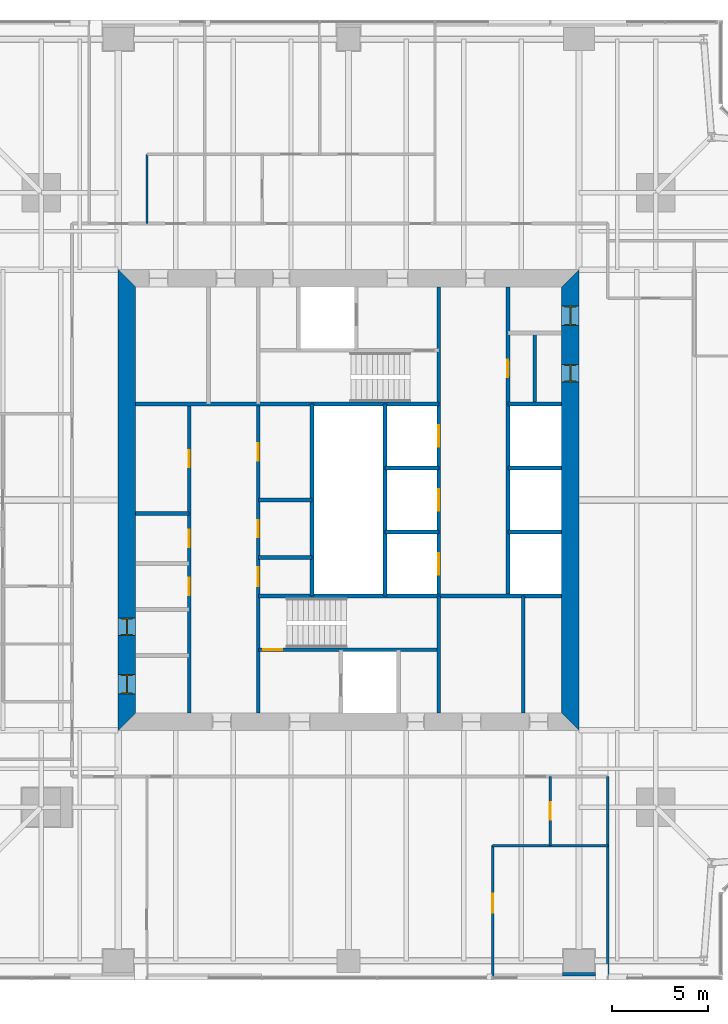
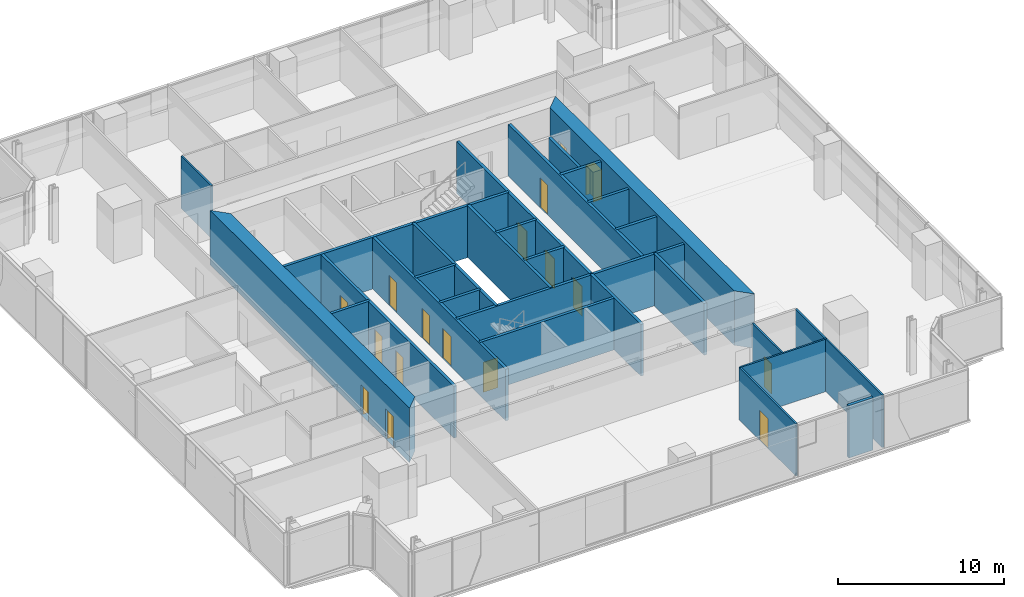
# One storey, part 10 of 14: 28 walls, 17 doors, 17 openings.
"""IFC4 building model written with IfcOpenShell, lengths in metres."""

from ifc_helpers import new_model, si_unit, direction, frame, frame_2d, origin, place, context, subcontext, project, spatial, polyline, rectangle, outline, extrude, material, layer, layer_set, type_object, element, fill, save


model = new_model("IFC4")

# Units and contexts
model_context = context("Model", 3, precision=1e-05, world=origin(), true_north=direction((0.0, 1.0)))
body_context = subcontext(model_context, "Body", "Model", "MODEL_VIEW")
ifc_project = project(units=[si_unit("LENGTHUNIT", "METRE"), si_unit("AREAUNIT", "SQUARE_METRE"), si_unit("VOLUMEUNIT", "CUBIC_METRE"), si_unit("PLANEANGLEUNIT", "RADIAN"), si_unit("MASSUNIT", "GRAM", prefix="KILO")], contexts=[model_context])

# Site, building, storey
site_placement = place(None, origin())
site = spatial("IfcSite", under=ifc_project, at=site_placement, CompositionType="ELEMENT")
building_placement = place(site_placement, origin())
building = spatial("IfcBuilding", under=site, at=building_placement, Name="Fenwick Lantern Interchange", CompositionType="ELEMENT")
storey_placement = place(building_placement, frame((0.0, 0.0, 197.800048828125)))
storey = spatial("IfcBuildingStorey", under=building, at=storey_placement, Name="L46", CompositionType="ELEMENT", Elevation=197.800048828125)

# Wall
ifc_material_1 = material(Name="Fire-rated gypsum board encasement on steel studs, 2 hour", Category="steel")
ifc_layer_1 = layer(ifc_material_1, 1.699951171875)
ifc_layer_set_1 = layer_set([ifc_layer_1], Name="COLUMN PIER 1700")
wall_type_1 = type_object("IfcWallType", Name="COLUMN PIER 1700", PredefinedType="PARTITIONING", material=ifc_layer_set_1)
wall_1_placement = place(storey_placement, frame((37.0, 0.199951171875, 0.0), z_axis=(0.0, 0.0, 1.0), x_axis=(0.0, 1.0, 0.0)))
element("IfcWall", 1, at=wall_1_placement, inside=storey, type_object=wall_type_1, Name="L46/W/PIER/CS4", PredefinedType="PARTITIONING", context=body_context, shape_type="SweptSolid", body=[
    extrude(rectangle(XDim=0.199951171875, YDim=1.699951171875, at=frame_2d((0.10009765625, 0.0))), origin(), (0.0, 0.0, 1.0), 3.849853515625),
])

# Wall, openings, doors
ifc_material_2 = material(Name="Concrete masonry ASTM C90 Grade N", Category="masonry")
ifc_layer_2 = layer(ifc_material_2, 0.199951171875)
ifc_layer_set_2 = layer_set([ifc_layer_2], Name="Concrete masonry ASTM C90 Grade N")
wall_type_2 = type_object("IfcWallType", Name="CORE PARTITION 200", PredefinedType="PARTITIONING", material=ifc_layer_set_2)
wall_2_placement = place(storey_placement, frame((16.699951171875, 13.89990234375, 0.0), z_axis=(0.0, 0.0, 1.0), x_axis=(0.0, 1.0, 0.0)))
wall_2 = element("IfcWall", 2, at=wall_2_placement, inside=storey, type_object=wall_type_2, Name="L46/W/CORES/a", PredefinedType="PARTITIONING", context=body_context, shape_type="SweptSolid", body=[
    extrude(rectangle(XDim=16.10009765625, YDim=0.199951171875, at=frame_2d((8.050048828125, 0.0))), origin(), (0.0, 0.0, 1.0), 3.800048828125),
])
opening_1_placement = place(wall_2_placement, frame((6.14990234375, 0.0, 0.0)))
opening_1 = element("IfcOpeningElement", 3, at=opening_1_placement, cuts=wall_2, Name="Opening L46-D009", PredefinedType="OPENING", context=body_context, shape_type="SweptSolid", body=[
    extrude(rectangle(XDim=0.89990234375, YDim=2.199951171875, at=frame_2d((0.449951171875, 1.10009765625))), frame((0.0, 0.10986328125, 0.0), z_axis=(0.0, -1.0, 0.0), x_axis=(1.0, 0.0, 0.0)), (0.0, 0.0, 1.0), 0.219970703125),
])
opening_2_placement = place(wall_2_placement, frame((8.64990234375, 0.0, 0.0)))
opening_2 = element("IfcOpeningElement", 4, at=opening_2_placement, cuts=wall_2, Name="Opening L46-D010", PredefinedType="OPENING", context=body_context, shape_type="SweptSolid", body=[
    extrude(rectangle(XDim=0.89990234375, YDim=2.199951171875, at=frame_2d((0.449951171875, 1.10009765625))), frame((0.0, 0.10986328125, 0.0), z_axis=(0.0, -1.0, 0.0), x_axis=(1.0, 0.0, 0.0)), (0.0, 0.0, 1.0), 0.219970703125),
])
opening_3_placement = place(wall_2_placement, frame((12.800048828125, 0.0, 0.0)))
opening_3 = element("IfcOpeningElement", 5, at=opening_3_placement, cuts=wall_2, Name="Opening L46-D011", PredefinedType="OPENING", context=body_context, shape_type="SweptSolid", body=[
    extrude(rectangle(XDim=0.89990234375, YDim=2.199951171875, at=frame_2d((0.449951171875, 1.10009765625))), frame((0.0, 0.10986328125, 0.0), z_axis=(0.0, -1.0, 0.0), x_axis=(1.0, 0.0, 0.0)), (0.0, 0.0, 1.0), 0.219970703125),
])
ifc_material_3 = material(Name="Steel door and frame", Category="steel")
door_type_1 = type_object("IfcDoorType", Name="SERVICE DOOR 900 X 2200", OperationType="SINGLE_SWING_LEFT", PredefinedType="DOOR", material=ifc_material_3)
door_1_placement = place(opening_1_placement, origin())
door_1 = element("IfcDoor", 6, at=door_1_placement, inside=storey, type_object=door_type_1, Name="Service door", OperationType="SINGLE_SWING_LEFT", OverallHeight=2.199951171875, OverallWidth=0.89990234375, PredefinedType="DOOR", context=body_context, shape_type="SweptSolid", body=[
    extrude(rectangle(XDim=0.89990234375, YDim=2.199951171875, at=frame_2d((0.449951171875, 1.10009765625))), frame((0.0, 0.02490234375, 0.0), z_axis=(0.0, -1.0, 0.0), x_axis=(1.0, 0.0, 0.0)), (0.0, 0.0, 1.0), 0.050048828125),
])
fill(opening_1, door_1)
door_2_placement = place(opening_2_placement, origin())
door_2 = element("IfcDoor", 7, at=door_2_placement, inside=storey, type_object=door_type_1, Name="Service door", OperationType="SINGLE_SWING_LEFT", OverallHeight=2.199951171875, OverallWidth=0.89990234375, PredefinedType="DOOR", context=body_context, shape_type="SweptSolid", body=[
    extrude(rectangle(XDim=0.89990234375, YDim=2.199951171875, at=frame_2d((0.449951171875, 1.10009765625))), frame((0.0, 0.02490234375, 0.0), z_axis=(0.0, -1.0, 0.0), x_axis=(1.0, 0.0, 0.0)), (0.0, 0.0, 1.0), 0.050048828125),
])
fill(opening_2, door_2)
door_3_placement = place(opening_3_placement, origin())
door_3 = element("IfcDoor", 8, at=door_3_placement, inside=storey, type_object=door_type_1, Name="Service door", OperationType="SINGLE_SWING_LEFT", OverallHeight=2.199951171875, OverallWidth=0.89990234375, PredefinedType="DOOR", context=body_context, shape_type="SweptSolid", body=[
    extrude(rectangle(XDim=0.89990234375, YDim=2.199951171875, at=frame_2d((0.449951171875, 1.10009765625))), frame((0.0, 0.02490234375, 0.0), z_axis=(0.0, -1.0, 0.0), x_axis=(1.0, 0.0, 0.0)), (0.0, 0.0, 1.0), 0.050048828125),
])
fill(opening_3, door_3)

# Walls
wall_3_placement = place(storey_placement, frame((23.10009765625, 20.0, 0.0), z_axis=(0.0, 0.0, 1.0), x_axis=(0.0, 1.0, 0.0)))
element("IfcWall", 9, at=wall_3_placement, inside=storey, type_object=wall_type_2, Name="L46/W/CORES/e3", PredefinedType="PARTITIONING", context=body_context, shape_type="SweptSolid", body=[
    extrude(rectangle(XDim=10.0, YDim=0.199951171875, at=frame_2d((5.0, 0.0))), origin(), (0.0, 0.0, 1.0), 3.800048828125),
])
wall_4_placement = place(storey_placement, frame((34.10009765625, 13.89990234375, 0.0), z_axis=(0.0, 0.0, 1.0), x_axis=(0.0, 1.0, 0.0)))
element("IfcWall", 10, at=wall_4_placement, inside=storey, type_object=wall_type_2, Name="L46/W/CORES/i2", PredefinedType="PARTITIONING", context=body_context, shape_type="SweptSolid", body=[
    extrude(rectangle(XDim=6.10009765625, YDim=0.199951171875, at=frame_2d((3.050048828125, 0.0))), origin(), (0.0, 0.0, 1.0), 3.800048828125),
])
for number, where, z_axis, x_axis, name in (
    (11, (13.89990234375, 24.300048828125, 0.0), (0.0, 0.0, 1.0), (1.0, 0.0, 0.0), "L46/W/CORES/p4"),
    (12, (20.300048828125, 22.0, 0.0), (0.0, 0.0, 1.0), (1.0, 0.0, 0.0), "L46/W/CORES/q1"),
    (13, (20.300048828125, 25.0, 0.0), (0.0, 0.0, 1.0), (1.0, 0.0, 0.0), "L46/W/CORES/q2"),
):
    element("IfcWall", number, at=place(storey_placement, frame(where, z_axis=z_axis, x_axis=x_axis)), inside=storey, type_object=wall_type_2, Name=name, PredefinedType="PARTITIONING", context=body_context, shape_type="SweptSolid", body=[
        extrude(rectangle(XDim=2.800048828125, YDim=0.199951171875, at=frame_2d((1.39990234375, 0.0))), origin(), (0.0, 0.0, 1.0), 3.800048828125),
    ])

# Wall, opening, door
wall_5_placement = place(storey_placement, frame((33.300048828125, 36.10009765625, 0.0), z_axis=(0.0, 0.0, 1.0), x_axis=(0.0, -1.0, 0.0)))
wall_5 = element("IfcWall", 14, at=wall_5_placement, inside=storey, type_object=wall_type_2, Name="L46/W/COREN/a", PredefinedType="PARTITIONING", context=body_context, shape_type="SweptSolid", body=[
    extrude(rectangle(XDim=16.10009765625, YDim=0.199951171875, at=frame_2d((8.050048828125, 0.0))), origin(), (0.0, 0.0, 1.0), 3.800048828125),
])
opening_4_placement = place(wall_5_placement, frame((3.800048828125, 0.0, 0.0)))
opening_4 = element("IfcOpeningElement", 15, at=opening_4_placement, cuts=wall_5, Name="Opening L46-D022", PredefinedType="OPENING", context=body_context, shape_type="SweptSolid", body=[
    extrude(rectangle(XDim=0.89990234375, YDim=2.199951171875, at=frame_2d((0.449951171875, 1.10009765625))), frame((0.0, 0.10986328125, 0.0), z_axis=(0.0, -1.0, 0.0), x_axis=(1.0, 0.0, 0.0)), (0.0, 0.0, 1.0), 0.219970703125),
])
door_4_placement = place(opening_4_placement, origin())
door_4 = element("IfcDoor", 16, at=door_4_placement, inside=storey, type_object=door_type_1, Name="Service door", OperationType="SINGLE_SWING_LEFT", OverallHeight=2.199951171875, OverallWidth=0.89990234375, PredefinedType="DOOR", context=body_context, shape_type="SweptSolid", body=[
    extrude(rectangle(XDim=0.89990234375, YDim=2.199951171875, at=frame_2d((0.449951171875, 1.10009765625))), frame((0.0, 0.02490234375, 0.0), z_axis=(0.0, -1.0, 0.0), x_axis=(1.0, 0.0, 0.0)), (0.0, 0.0, 1.0), 0.050048828125),
])
fill(opening_4, door_4)

# Walls
for number, where, z_axis, x_axis, name in (
    (17, (36.10009765625, 30.0, 0.0), (0.0, 0.0, 1.0), (-1.0, 0.0, 0.0), "L46/W/COREN/c2"),
    (18, (36.10009765625, 26.666748046875, 0.0), (0.0, 0.0, 1.0), (-1.0, 0.0, 0.0), "L46/W/COREN/d1"),
    (19, (36.10009765625, 23.333251953125, 0.0), (0.0, 0.0, 1.0), (-1.0, 0.0, 0.0), "L46/W/COREN/d2"),
    (20, (29.699951171875, 26.666748046875, 0.0), (0.0, 0.0, 1.0), (-1.0, 0.0, 0.0), "L46/W/COREN/e1"),
    (21, (29.699951171875, 23.333251953125, 0.0), (0.0, 0.0, 1.0), (-1.0, 0.0, 0.0), "L46/W/COREN/e2"),
):
    element("IfcWall", number, at=place(storey_placement, frame(where, z_axis=z_axis, x_axis=x_axis)), inside=storey, type_object=wall_type_2, Name=name, PredefinedType="PARTITIONING", context=body_context, shape_type="SweptSolid", body=[
        extrude(rectangle(XDim=2.800048828125, YDim=0.199951171875, at=frame_2d((1.39990234375, 0.0))), origin(), (0.0, 0.0, 1.0), 3.800048828125),
    ])
wall_6_placement = place(storey_placement, frame((26.89990234375, 30.0, 0.0), z_axis=(0.0, 0.0, 1.0), x_axis=(0.0, -1.0, 0.0)))
element("IfcWall", 22, at=wall_6_placement, inside=storey, type_object=wall_type_2, Name="L46/W/COREN/e3", PredefinedType="PARTITIONING", context=body_context, shape_type="SweptSolid", body=[
    extrude(rectangle(XDim=10.0, YDim=0.199951171875, at=frame_2d((5.0, 0.0))), origin(), (0.0, 0.0, 1.0), 3.800048828125),
])
wall_7_placement = place(storey_placement, frame((34.699951171875, 33.699951171875, 0.0), z_axis=(0.0, 0.0, 1.0), x_axis=(0.0, -1.0, 0.0)))
element("IfcWall", 23, at=wall_7_placement, inside=storey, type_object=wall_type_2, Name="L46/W/COREN/px", PredefinedType="PARTITIONING", context=body_context, shape_type="SweptSolid", body=[
    extrude(rectangle(XDim=3.699951171875, YDim=0.199951171875, at=frame_2d((1.85009765625, 0.0))), origin(), (0.0, 0.0, 1.0), 3.800048828125),
])

# Wall, openings, doors
ifc_material_4 = material(Name="Concrete f'c 70 MPa", Category="concrete")
ifc_layer_3 = layer(ifc_material_4, 0.89990234375)
ifc_layer_set_3 = layer_set([ifc_layer_3], Name="CORE WALL 900")
wall_type_3 = type_object("IfcWallType", Name="CORE WALL 900", PredefinedType="SHEAR", material=ifc_layer_set_3)
wall_8_placement = place(storey_placement, frame((36.550048828125, 13.89990234375, 0.0), z_axis=(0.0, 0.0, 1.0), x_axis=(0.0, 1.0, 0.0)))
wall_8 = element("IfcWall", 24, at=wall_8_placement, inside=storey, type_object=wall_type_3, Name="L46/CORE/E", PredefinedType="SHEAR", context=body_context, shape_type="SweptSolid", body=[
    extrude(outline(polyline([(-0.89990234375, -0.449951171875), (23.10009765625, -0.449951171875), (22.199951171875, 0.449951171875), (0.0, 0.449951171875), (-0.89990234375, -0.449951171875)])), origin(), (0.0, 0.0, 1.0), 4.0),
])
opening_5_placement = place(wall_8_placement, frame((20.199951171875, 0.0, 0.0)))
opening_5 = element("IfcOpeningElement", 25, at=opening_5_placement, cuts=wall_8, Name="Opening L46-D021", PredefinedType="OPENING", context=body_context, shape_type="SweptSolid", body=[
    extrude(rectangle(XDim=1.0, YDim=2.199951171875, at=frame_2d((0.5, 1.10009765625))), frame((0.0, 0.4599609375, 0.0), z_axis=(0.0, -1.0, 0.0), x_axis=(1.0, 0.0, 0.0)), (0.0, 0.0, 1.0), 0.919921875),
])
opening_6_placement = place(wall_8_placement, frame((17.25, 0.0, 0.0)))
opening_6 = element("IfcOpeningElement", 26, at=opening_6_placement, cuts=wall_8, Name="Opening L46-D023", PredefinedType="OPENING", context=body_context, shape_type="SweptSolid", body=[
    extrude(rectangle(XDim=0.89990234375, YDim=2.199951171875, at=frame_2d((0.449951171875, 1.10009765625))), frame((0.0, 0.4599609375, 0.0), z_axis=(0.0, -1.0, 0.0), x_axis=(1.0, 0.0, 0.0)), (0.0, 0.0, 1.0), 0.919921875),
])
door_type_2 = type_object("IfcDoorType", Name="SERVICE DOOR 1000 X 2200", OperationType="SINGLE_SWING_LEFT", PredefinedType="DOOR", material=ifc_material_3)
door_5_placement = place(opening_5_placement, origin())
door_5 = element("IfcDoor", 27, at=door_5_placement, inside=storey, type_object=door_type_2, Name="Service door", OperationType="SINGLE_SWING_LEFT", OverallHeight=2.199951171875, OverallWidth=1.0, PredefinedType="DOOR", context=body_context, shape_type="SweptSolid", body=[
    extrude(rectangle(XDim=1.0, YDim=2.199951171875, at=frame_2d((0.5, 1.10009765625))), frame((0.0, 0.02490234375, 0.0), z_axis=(0.0, -1.0, 0.0), x_axis=(1.0, 0.0, 0.0)), (0.0, 0.0, 1.0), 0.050048828125),
    extrude(outline(polyline([(0.0, 0.0), (0.0400390625, 0.0), (0.0400390625, 2.159912109375), (0.9599609375, 2.159912109375), (0.9599609375, 0.0), (1.0, 0.0), (1.0, 2.199951171875), (0.0, 2.199951171875), (0.0, 0.0)])), frame((0.0, 0.300048828125, 0.0), z_axis=(0.0, -1.0, 0.0), x_axis=(1.0, 0.0, 0.0)), (0.0, 0.0, 1.0), 0.60009765625),
])
fill(opening_5, door_5)
door_6_placement = place(opening_6_placement, origin())
door_6 = element("IfcDoor", 28, at=door_6_placement, inside=storey, type_object=door_type_1, Name="Service door", OperationType="SINGLE_SWING_LEFT", OverallHeight=2.199951171875, OverallWidth=0.89990234375, PredefinedType="DOOR", context=body_context, shape_type="SweptSolid", body=[
    extrude(rectangle(XDim=0.89990234375, YDim=2.199951171875, at=frame_2d((0.449951171875, 1.10009765625))), frame((0.0, 0.02490234375, 0.0), z_axis=(0.0, -1.0, 0.0), x_axis=(1.0, 0.0, 0.0)), (0.0, 0.0, 1.0), 0.050048828125),
    extrude(outline(polyline([(0.0, 0.0), (0.0400390625, 0.0), (0.0400390625, 2.159912109375), (0.85986328125, 2.159912109375), (0.85986328125, 0.0), (0.89990234375, 0.0), (0.89990234375, 2.199951171875), (0.0, 2.199951171875), (0.0, 0.0)])), frame((0.0, 0.300048828125, 0.0), z_axis=(0.0, -1.0, 0.0), x_axis=(1.0, 0.0, 0.0)), (0.0, 0.0, 1.0), 0.60009765625),
])
fill(opening_6, door_6)

wall_9_placement = place(storey_placement, frame((13.449951171875, 36.10009765625, 0.0), z_axis=(0.0, 0.0, 1.0), x_axis=(0.0, -1.0, 0.0)))
wall_9 = element("IfcWall", 29, at=wall_9_placement, inside=storey, type_object=wall_type_3, Name="L46/CORE/W", PredefinedType="SHEAR", context=body_context, shape_type="SweptSolid", body=[
    extrude(outline(polyline([(-0.89990234375, -0.449951171875), (23.10009765625, -0.449951171875), (22.199951171875, 0.449951171875), (0.0, 0.449951171875), (-0.89990234375, -0.449951171875)])), origin(), (0.0, 0.0, 1.0), 4.0),
])
opening_7_placement = place(wall_9_placement, frame((20.199951171875, 0.0, 0.0)))
opening_7 = element("IfcOpeningElement", 30, at=opening_7_placement, cuts=wall_9, Name="Opening L46-D007", PredefinedType="OPENING", context=body_context, shape_type="SweptSolid", body=[
    extrude(rectangle(XDim=1.0, YDim=2.199951171875, at=frame_2d((0.5, 1.10009765625))), frame((0.0, 0.4599609375, 0.0), z_axis=(0.0, -1.0, 0.0), x_axis=(1.0, 0.0, 0.0)), (0.0, 0.0, 1.0), 0.919921875),
])
opening_8_placement = place(wall_9_placement, frame((17.25, 0.0, 0.0)))
opening_8 = element("IfcOpeningElement", 31, at=opening_8_placement, cuts=wall_9, Name="Opening L46-D008", PredefinedType="OPENING", context=body_context, shape_type="SweptSolid", body=[
    extrude(rectangle(XDim=0.89990234375, YDim=2.199951171875, at=frame_2d((0.449951171875, 1.10009765625))), frame((0.0, 0.4599609375, 0.0), z_axis=(0.0, -1.0, 0.0), x_axis=(1.0, 0.0, 0.0)), (0.0, 0.0, 1.0), 0.919921875),
])
door_7_placement = place(opening_8_placement, origin())
door_7 = element("IfcDoor", 32, at=door_7_placement, inside=storey, type_object=door_type_1, Name="Service door", OperationType="SINGLE_SWING_LEFT", OverallHeight=2.199951171875, OverallWidth=0.89990234375, PredefinedType="DOOR", context=body_context, shape_type="SweptSolid", body=[
    extrude(rectangle(XDim=0.89990234375, YDim=2.199951171875, at=frame_2d((0.449951171875, 1.10009765625))), frame((0.0, 0.02490234375, 0.0), z_axis=(0.0, -1.0, 0.0), x_axis=(1.0, 0.0, 0.0)), (0.0, 0.0, 1.0), 0.050048828125),
    extrude(outline(polyline([(0.0, 0.0), (0.0400390625, 0.0), (0.0400390625, 2.159912109375), (0.85986328125, 2.159912109375), (0.85986328125, 0.0), (0.89990234375, 0.0), (0.89990234375, 2.199951171875), (0.0, 2.199951171875), (0.0, 0.0)])), frame((0.0, 0.300048828125, 0.0), z_axis=(0.0, -1.0, 0.0), x_axis=(1.0, 0.0, 0.0)), (0.0, 0.0, 1.0), 0.60009765625),
])
fill(opening_8, door_7)
ifc_material_5 = material(Name="Hardwood door and steel frame", Category="steel")
door_type_3 = type_object("IfcDoorType", Name="WC DOOR 1000 X 2200", OperationType="SINGLE_SWING_LEFT", PredefinedType="DOOR", material=ifc_material_5)
door_8_placement = place(opening_7_placement, origin())
door_8 = element("IfcDoor", 33, at=door_8_placement, inside=storey, type_object=door_type_3, Name="Wc door", OperationType="SINGLE_SWING_LEFT", OverallHeight=2.199951171875, OverallWidth=1.0, PredefinedType="DOOR", context=body_context, shape_type="SweptSolid", body=[
    extrude(rectangle(XDim=1.0, YDim=2.199951171875, at=frame_2d((0.5, 1.10009765625))), frame((0.0, 0.02490234375, 0.0), z_axis=(0.0, -1.0, 0.0), x_axis=(1.0, 0.0, 0.0)), (0.0, 0.0, 1.0), 0.050048828125),
    extrude(outline(polyline([(0.0, 0.0), (0.0400390625, 0.0), (0.0400390625, 2.159912109375), (0.9599609375, 2.159912109375), (0.9599609375, 0.0), (1.0, 0.0), (1.0, 2.199951171875), (0.0, 2.199951171875), (0.0, 0.0)])), frame((0.0, 0.300048828125, 0.0), z_axis=(0.0, -1.0, 0.0), x_axis=(1.0, 0.0, 0.0)), (0.0, 0.0, 1.0), 0.60009765625),
])
fill(opening_7, door_8)

# Wall, opening, door
ifc_material_6 = material(Name="Gypsum board on steel studs, acoustic", Category="steel")
ifc_layer_4 = layer(ifc_material_6, 0.125)
ifc_layer_set_4 = layer_set([ifc_layer_4], Name="OFFICE PARTITION 125")
wall_type_4 = type_object("IfcWallType", Name="OFFICE PARTITION 125", PredefinedType="PARTITIONING", material=ifc_layer_set_4)
wall_10_placement = place(storey_placement, frame((32.5, 0.14990234375, 0.0), z_axis=(0.0, 0.0, 1.0), x_axis=(0.0, 1.0, 0.0)))
wall_10 = element("IfcWall", 34, at=wall_10_placement, inside=storey, type_object=wall_type_4, Name="L46/W/OFF/S/X325-1", PredefinedType="PARTITIONING", context=body_context, shape_type="SweptSolid", body=[
    extrude(rectangle(XDim=6.85009765625, YDim=0.125, at=frame_2d((3.425048828125, 0.0))), origin(), (0.0, 0.0, 1.0), 3.849853515625),
])
opening_9_placement = place(wall_10_placement, frame((3.35009765625, 0.0, 0.0)))
opening_9 = element("IfcOpeningElement", 35, at=opening_9_placement, cuts=wall_10, Name="Opening L46-D028", PredefinedType="OPENING", context=body_context, shape_type="SweptSolid", body=[
    extrude(rectangle(XDim=1.0, YDim=2.199951171875, at=frame_2d((0.5, 1.10009765625))), frame((0.0, 0.072509765625, 0.0), z_axis=(0.0, -1.0, 0.0), x_axis=(1.0, 0.0, 0.0)), (0.0, 0.0, 1.0), 0.14501953125),
])
door_type_4 = type_object("IfcDoorType", Name="MEETING ROOM DOOR 1000 X 2200", OperationType="SINGLE_SWING_LEFT", PredefinedType="DOOR", material=ifc_material_5)
door_9_placement = place(opening_9_placement, frame((1.0, 0.0, 0.0), z_axis=(0.0, 0.0, 1.0), x_axis=(-1.0, 0.0, 0.0)))
door_9 = element("IfcDoor", 36, at=door_9_placement, inside=storey, type_object=door_type_4, Name="Meeting room door", OperationType="SINGLE_SWING_LEFT", OverallHeight=2.199951171875, OverallWidth=1.0, PredefinedType="DOOR", context=body_context, shape_type="SweptSolid", body=[
    extrude(rectangle(XDim=1.0, YDim=2.199951171875, at=frame_2d((0.5, 1.10009765625))), frame((0.0, 0.02490234375, 0.0), z_axis=(0.0, -1.0, 0.0), x_axis=(1.0, 0.0, 0.0)), (0.0, 0.0, 1.0), 0.050048828125),
])
fill(opening_9, door_9)

wall_11_placement = place(storey_placement, frame((35.5, 7.0, 0.0), z_axis=(0.0, 0.0, 1.0), x_axis=(0.0, 1.0, 0.0)))
wall_11 = element("IfcWall", 37, at=wall_11_placement, inside=storey, type_object=wall_type_4, Name="L46/W/OFF/S/X355-1", PredefinedType="PARTITIONING", context=body_context, shape_type="SweptSolid", body=[
    extrude(rectangle(XDim=3.60009765625, YDim=0.125, at=frame_2d((1.800048828125, 0.0))), origin(), (0.0, 0.0, 1.0), 3.849853515625),
])
opening_10_placement = place(wall_11_placement, frame((1.35009765625, 0.0, 0.0)))
opening_10 = element("IfcOpeningElement", 38, at=opening_10_placement, cuts=wall_11, Name="Opening L46-D029", PredefinedType="OPENING", context=body_context, shape_type="SweptSolid", body=[
    extrude(rectangle(XDim=0.89990234375, YDim=2.199951171875, at=frame_2d((0.449951171875, 1.10009765625))), frame((0.0, 0.072509765625, 0.0), z_axis=(0.0, -1.0, 0.0), x_axis=(1.0, 0.0, 0.0)), (0.0, 0.0, 1.0), 0.14501953125),
])
door_type_5 = type_object("IfcDoorType", Name="OFFICE DOOR 900 X 2200", OperationType="SINGLE_SWING_LEFT", PredefinedType="DOOR", material=ifc_material_5)
door_10_placement = place(opening_10_placement, frame((0.89990234375, 0.0, 0.0), z_axis=(0.0, 0.0, 1.0), x_axis=(-1.0, 0.0, 0.0)))
door_10 = element("IfcDoor", 39, at=door_10_placement, inside=storey, type_object=door_type_5, Name="Office door", OperationType="SINGLE_SWING_RIGHT", OverallHeight=2.199951171875, OverallWidth=0.89990234375, PredefinedType="DOOR", context=body_context, shape_type="SweptSolid", body=[
    extrude(rectangle(XDim=0.89990234375, YDim=2.199951171875, at=frame_2d((0.449951171875, 1.10009765625))), frame((0.0, 0.02490234375, 0.0), z_axis=(0.0, -1.0, 0.0), x_axis=(1.0, 0.0, 0.0)), (0.0, 0.0, 1.0), 0.050048828125),
])
fill(opening_10, door_10)

# Walls
wall_12_placement = place(storey_placement, frame((32.5, 7.0, 0.0), z_axis=(0.0, 0.0, 1.0), x_axis=(1.0, 0.0, 0.0)))
element("IfcWall", 40, at=wall_12_placement, inside=storey, type_object=wall_type_4, Name="L46/W/OFF/S/Y70-1", PredefinedType="PARTITIONING", context=body_context, shape_type="SweptSolid", body=[
    extrude(rectangle(XDim=6.0, YDim=0.125, at=frame_2d((3.0, 0.0))), origin(), (0.0, 0.0, 1.0), 3.849853515625),
])
wall_13_placement = place(storey_placement, frame((38.5, 0.14990234375, 0.0), z_axis=(0.0, 0.0, 1.0), x_axis=(0.0, 1.0, 0.0)))
element("IfcWall", 41, at=wall_13_placement, inside=storey, type_object=wall_type_4, Name="L46/W/OFF/E/BACK", PredefinedType="PARTITIONING", context=body_context, shape_type="SweptSolid", body=[
    extrude(rectangle(XDim=10.4501953125, YDim=0.125, at=frame_2d((5.22509765625, 0.0))), origin(), (0.0, 0.0, 1.0), 3.849853515625),
])
wall_14_placement = place(storey_placement, frame((14.5, 43.0, 0.0), z_axis=(0.0, 0.0, 1.0), x_axis=(0.0, -1.0, 0.0)))
element("IfcWall", 42, at=wall_14_placement, inside=storey, type_object=wall_type_4, Name="L46/W/OFF/N/X355-1", PredefinedType="PARTITIONING", context=body_context, shape_type="SweptSolid", body=[
    extrude(rectangle(XDim=3.60009765625, YDim=0.125, at=frame_2d((1.800048828125, 0.0))), origin(), (0.0, 0.0, 1.0), 3.849853515625),
])

# Wall, openings, doors
ifc_material_7 = material(Name="Concrete f'c 45 MPa", Category="concrete")
ifc_layer_5 = layer(ifc_material_7, 0.199951171875)
ifc_layer_set_5 = layer_set([ifc_layer_5], Name="STAIR CORE WALL 200")
wall_type_5 = type_object("IfcWallType", Name="STAIR CORE WALL 200", PredefinedType="SOLIDWALL", material=ifc_layer_set_5)
wall_15_placement = place(storey_placement, frame((20.300048828125, 13.89990234375, 0.0), z_axis=(0.0, 0.0, 1.0), x_axis=(0.0, 1.0, 0.0)))
wall_15 = element("IfcWall", 43, at=wall_15_placement, inside=storey, type_object=wall_type_5, Name="L46/W/CORES/b", PredefinedType="SOLIDWALL", context=body_context, shape_type="SweptSolid", body=[
    extrude(rectangle(XDim=16.10009765625, YDim=0.199951171875, at=frame_2d((8.050048828125, 0.0))), origin(), (0.0, 0.0, 1.0), 3.800048828125),
])
opening_11_placement = place(wall_15_placement, frame((6.60009765625, 0.0, 0.0)))
opening_11 = element("IfcOpeningElement", 44, at=opening_11_placement, cuts=wall_15, Name="Opening L46-D012", PredefinedType="OPENING", context=body_context, shape_type="SweptSolid", body=[
    extrude(rectangle(XDim=1.0, YDim=2.199951171875, at=frame_2d((0.5, 1.10009765625))), frame((0.0, 0.10986328125, 0.0), z_axis=(0.0, -1.0, 0.0), x_axis=(1.0, 0.0, 0.0)), (0.0, 0.0, 1.0), 0.219970703125),
])
opening_12_placement = place(wall_15_placement, frame((9.14990234375, 0.0, 0.0)))
opening_12 = element("IfcOpeningElement", 45, at=opening_12_placement, cuts=wall_15, Name="Opening L46-D013", PredefinedType="OPENING", context=body_context, shape_type="SweptSolid", body=[
    extrude(rectangle(XDim=0.89990234375, YDim=2.199951171875, at=frame_2d((0.449951171875, 1.10009765625))), frame((0.0, 0.10986328125, 0.0), z_axis=(0.0, -1.0, 0.0), x_axis=(1.0, 0.0, 0.0)), (0.0, 0.0, 1.0), 0.219970703125),
])
opening_13_placement = place(wall_15_placement, frame((13.14990234375, 0.0, 0.0)))
opening_13 = element("IfcOpeningElement", 46, at=opening_13_placement, cuts=wall_15, Name="Opening L46-D014", PredefinedType="OPENING", context=body_context, shape_type="SweptSolid", body=[
    extrude(rectangle(XDim=0.89990234375, YDim=2.199951171875, at=frame_2d((0.449951171875, 1.10009765625))), frame((0.0, 0.10986328125, 0.0), z_axis=(0.0, -1.0, 0.0), x_axis=(1.0, 0.0, 0.0)), (0.0, 0.0, 1.0), 0.219970703125),
])
door_11_placement = place(opening_12_placement, frame((0.89990234375, 0.0, 0.0), z_axis=(0.0, 0.0, 1.0), x_axis=(-1.0, 0.0, 0.0)))
door_11 = element("IfcDoor", 47, at=door_11_placement, inside=storey, type_object=door_type_1, Name="Service door", OperationType="SINGLE_SWING_RIGHT", OverallHeight=2.199951171875, OverallWidth=0.89990234375, PredefinedType="DOOR", context=body_context, shape_type="SweptSolid", body=[
    extrude(rectangle(XDim=0.89990234375, YDim=2.199951171875, at=frame_2d((0.449951171875, 1.10009765625))), frame((0.0, 0.02490234375, 0.0), z_axis=(0.0, -1.0, 0.0), x_axis=(1.0, 0.0, 0.0)), (0.0, 0.0, 1.0), 0.050048828125),
])
fill(opening_12, door_11)
door_12_placement = place(opening_13_placement, frame((0.89990234375, 0.0, 0.0), z_axis=(0.0, 0.0, 1.0), x_axis=(-1.0, 0.0, 0.0)))
door_12 = element("IfcDoor", 48, at=door_12_placement, inside=storey, type_object=door_type_1, Name="Service door", OperationType="SINGLE_SWING_RIGHT", OverallHeight=2.199951171875, OverallWidth=0.89990234375, PredefinedType="DOOR", context=body_context, shape_type="SweptSolid", body=[
    extrude(rectangle(XDim=0.89990234375, YDim=2.199951171875, at=frame_2d((0.449951171875, 1.10009765625))), frame((0.0, 0.02490234375, 0.0), z_axis=(0.0, -1.0, 0.0), x_axis=(1.0, 0.0, 0.0)), (0.0, 0.0, 1.0), 0.050048828125),
])
fill(opening_13, door_12)
door_13_placement = place(opening_11_placement, frame((1.0, 0.0, 0.0), z_axis=(0.0, 0.0, 1.0), x_axis=(-1.0, 0.0, 0.0)))
door_13 = element("IfcDoor", 49, at=door_13_placement, inside=storey, type_object=door_type_3, Name="Wc door", OperationType="SINGLE_SWING_RIGHT", OverallHeight=2.199951171875, OverallWidth=1.0, PredefinedType="DOOR", context=body_context, shape_type="SweptSolid", body=[
    extrude(rectangle(XDim=1.0, YDim=2.199951171875, at=frame_2d((0.5, 1.10009765625))), frame((0.0, 0.02490234375, 0.0), z_axis=(0.0, -1.0, 0.0), x_axis=(1.0, 0.0, 0.0)), (0.0, 0.0, 1.0), 0.050048828125),
])
fill(opening_11, door_13)

# Wall, opening, door
wall_16_placement = place(storey_placement, frame((20.300048828125, 17.199951171875, 0.0), z_axis=(0.0, 0.0, 1.0), x_axis=(1.0, 0.0, 0.0)))
wall_16 = element("IfcWall", 50, at=wall_16_placement, inside=storey, type_object=wall_type_5, Name="L46/W/CORES/g1", PredefinedType="SOLIDWALL", context=body_context, shape_type="SweptSolid", body=[
    extrude(rectangle(XDim=9.39990234375, YDim=0.199951171875, at=frame_2d((4.699951171875, 0.0))), origin(), (0.0, 0.0, 1.0), 3.800048828125),
])
opening_14_placement = place(wall_16_placement, frame((0.25, 0.0, 0.0)))
opening_14 = element("IfcOpeningElement", 51, at=opening_14_placement, cuts=wall_16, Name="Opening L46-D003", PredefinedType="OPENING", context=body_context, shape_type="SweptSolid", body=[
    extrude(rectangle(XDim=1.0, YDim=2.199951171875, at=frame_2d((0.5, 1.10009765625))), frame((0.0, 0.10986328125, 0.0), z_axis=(0.0, -1.0, 0.0), x_axis=(1.0, 0.0, 0.0)), (0.0, 0.0, 1.0), 0.219970703125),
])
door_type_6 = type_object("IfcDoorType", Name="STAIR DOOR 1000 X 2200", OperationType="SINGLE_SWING_LEFT", PredefinedType="DOOR", material=ifc_material_3)
door_14_placement = place(opening_14_placement, origin())
door_14 = element("IfcDoor", 52, at=door_14_placement, inside=storey, type_object=door_type_6, Name="Stair door", OperationType="SINGLE_SWING_LEFT", OverallHeight=2.199951171875, OverallWidth=1.0, PredefinedType="DOOR", context=body_context, shape_type="SweptSolid", body=[
    extrude(rectangle(XDim=1.0, YDim=2.199951171875, at=frame_2d((0.5, 1.10009765625))), frame((0.0, 0.02490234375, 0.0), z_axis=(0.0, -1.0, 0.0), x_axis=(1.0, 0.0, 0.0)), (0.0, 0.0, 1.0), 0.050048828125),
])
fill(opening_14, door_14)

# Walls
wall_17_placement = place(storey_placement, frame((20.300048828125, 20.0, 0.0), z_axis=(0.0, 0.0, 1.0), x_axis=(1.0, 0.0, 0.0)))
element("IfcWall", 53, at=wall_17_placement, inside=storey, type_object=wall_type_5, Name="L46/W/CORES/g2", PredefinedType="SOLIDWALL", context=body_context, shape_type="SweptSolid", body=[
    extrude(rectangle(XDim=15.800048828125, YDim=0.199951171875, at=frame_2d((7.89990234375, 0.0))), origin(), (0.0, 0.0, 1.0), 3.800048828125),
])
wall_18_placement = place(storey_placement, frame((29.699951171875, 13.89990234375, 0.0), z_axis=(0.0, 0.0, 1.0), x_axis=(0.0, 1.0, 0.0)))
element("IfcWall", 54, at=wall_18_placement, inside=storey, type_object=wall_type_5, Name="L46/W/CORES/i1", PredefinedType="SOLIDWALL", context=body_context, shape_type="SweptSolid", body=[
    extrude(rectangle(XDim=6.10009765625, YDim=0.199951171875, at=frame_2d((3.050048828125, 0.0))), origin(), (0.0, 0.0, 1.0), 3.800048828125),
])

# Wall, openings, doors
wall_19_placement = place(storey_placement, frame((29.699951171875, 36.10009765625, 0.0), z_axis=(0.0, 0.0, 1.0), x_axis=(0.0, -1.0, 0.0)))
wall_19 = element("IfcWall", 55, at=wall_19_placement, inside=storey, type_object=wall_type_5, Name="L46/W/COREN/b", PredefinedType="SOLIDWALL", context=body_context, shape_type="SweptSolid", body=[
    extrude(rectangle(XDim=16.10009765625, YDim=0.199951171875, at=frame_2d((8.050048828125, 0.0))), origin(), (0.0, 0.0, 1.0), 3.800048828125),
])
opening_15_placement = place(wall_19_placement, frame((7.216552734375, 0.0, 0.0)))
opening_15 = element("IfcOpeningElement", 56, at=opening_15_placement, cuts=wall_19, Name="Opening LD-E2-1", PredefinedType="OPENING", context=body_context, shape_type="SweptSolid", body=[
    extrude(rectangle(XDim=1.10009765625, YDim=2.199951171875, at=frame_2d((0.550048828125, 1.10009765625))), frame((0.0, 0.10986328125, 0.0), z_axis=(0.0, -1.0, 0.0), x_axis=(1.0, 0.0, 0.0)), (0.0, 0.0, 1.0), 0.219970703125),
])
opening_16_placement = place(wall_19_placement, frame((10.550048828125, 0.0, 0.0)))
opening_16 = element("IfcOpeningElement", 57, at=opening_16_placement, cuts=wall_19, Name="Opening LD-E2-2", PredefinedType="OPENING", context=body_context, shape_type="SweptSolid", body=[
    extrude(rectangle(XDim=1.10009765625, YDim=2.199951171875, at=frame_2d((0.550048828125, 1.10009765625))), frame((0.0, 0.10986328125, 0.0), z_axis=(0.0, -1.0, 0.0), x_axis=(1.0, 0.0, 0.0)), (0.0, 0.0, 1.0), 0.219970703125),
])
opening_17_placement = place(wall_19_placement, frame((13.88330078125, 0.0, 0.0)))
opening_17 = element("IfcOpeningElement", 58, at=opening_17_placement, cuts=wall_19, Name="Opening LD-E2-3", PredefinedType="OPENING", context=body_context, shape_type="SweptSolid", body=[
    extrude(rectangle(XDim=1.10009765625, YDim=2.199951171875, at=frame_2d((0.550048828125, 1.10009765625))), frame((0.0, 0.10986328125, 0.0), z_axis=(0.0, -1.0, 0.0), x_axis=(1.0, 0.0, 0.0)), (0.0, 0.0, 1.0), 0.219970703125),
])
door_type_7 = type_object("IfcDoorType", Name="LIFT LANDING DOOR 1100 X 2200", OperationType="DOUBLE_DOOR_SLIDING", PredefinedType="DOOR", material=ifc_material_3)
door_15_placement = place(opening_15_placement, origin())
door_15 = element("IfcDoor", 59, at=door_15_placement, inside=storey, type_object=door_type_7, Name="Lift landing door E2-1", OperationType="DOUBLE_DOOR_SLIDING", OverallHeight=2.199951171875, OverallWidth=1.10009765625, PredefinedType="DOOR", context=body_context, shape_type="SweptSolid", body=[
    extrude(rectangle(XDim=1.10009765625, YDim=2.199951171875, at=frame_2d((0.550048828125, 1.10009765625))), frame((0.0, 0.02490234375, 0.0), z_axis=(0.0, -1.0, 0.0), x_axis=(1.0, 0.0, 0.0)), (0.0, 0.0, 1.0), 0.050048828125),
])
fill(opening_15, door_15)
door_16_placement = place(opening_16_placement, origin())
door_16 = element("IfcDoor", 60, at=door_16_placement, inside=storey, type_object=door_type_7, Name="Lift landing door E2-2", OperationType="DOUBLE_DOOR_SLIDING", OverallHeight=2.199951171875, OverallWidth=1.10009765625, PredefinedType="DOOR", context=body_context, shape_type="SweptSolid", body=[
    extrude(rectangle(XDim=1.10009765625, YDim=2.199951171875, at=frame_2d((0.550048828125, 1.10009765625))), frame((0.0, 0.02490234375, 0.0), z_axis=(0.0, -1.0, 0.0), x_axis=(1.0, 0.0, 0.0)), (0.0, 0.0, 1.0), 0.050048828125),
])
fill(opening_16, door_16)
door_17_placement = place(opening_17_placement, origin())
door_17 = element("IfcDoor", 61, at=door_17_placement, inside=storey, type_object=door_type_7, Name="Lift landing door E2-3", OperationType="DOUBLE_DOOR_SLIDING", OverallHeight=2.199951171875, OverallWidth=1.10009765625, PredefinedType="DOOR", context=body_context, shape_type="SweptSolid", body=[
    extrude(rectangle(XDim=1.10009765625, YDim=2.199951171875, at=frame_2d((0.550048828125, 1.10009765625))), frame((0.0, 0.02490234375, 0.0), z_axis=(0.0, -1.0, 0.0), x_axis=(1.0, 0.0, 0.0)), (0.0, 0.0, 1.0), 0.050048828125),
])
fill(opening_17, door_17)

# Wall
wall_20_placement = place(storey_placement, frame((29.699951171875, 30.0, 0.0), z_axis=(0.0, 0.0, 1.0), x_axis=(-1.0, 0.0, 0.0)))
element("IfcWall", 62, at=wall_20_placement, inside=storey, type_object=wall_type_5, Name="L46/W/COREN/g2", PredefinedType="SOLIDWALL", context=body_context, shape_type="SweptSolid", body=[
    extrude(rectangle(XDim=15.800048828125, YDim=0.199951171875, at=frame_2d((7.89990234375, 0.0))), origin(), (0.0, 0.0, 1.0), 3.800048828125),
])

save(model, "model.ifc")
